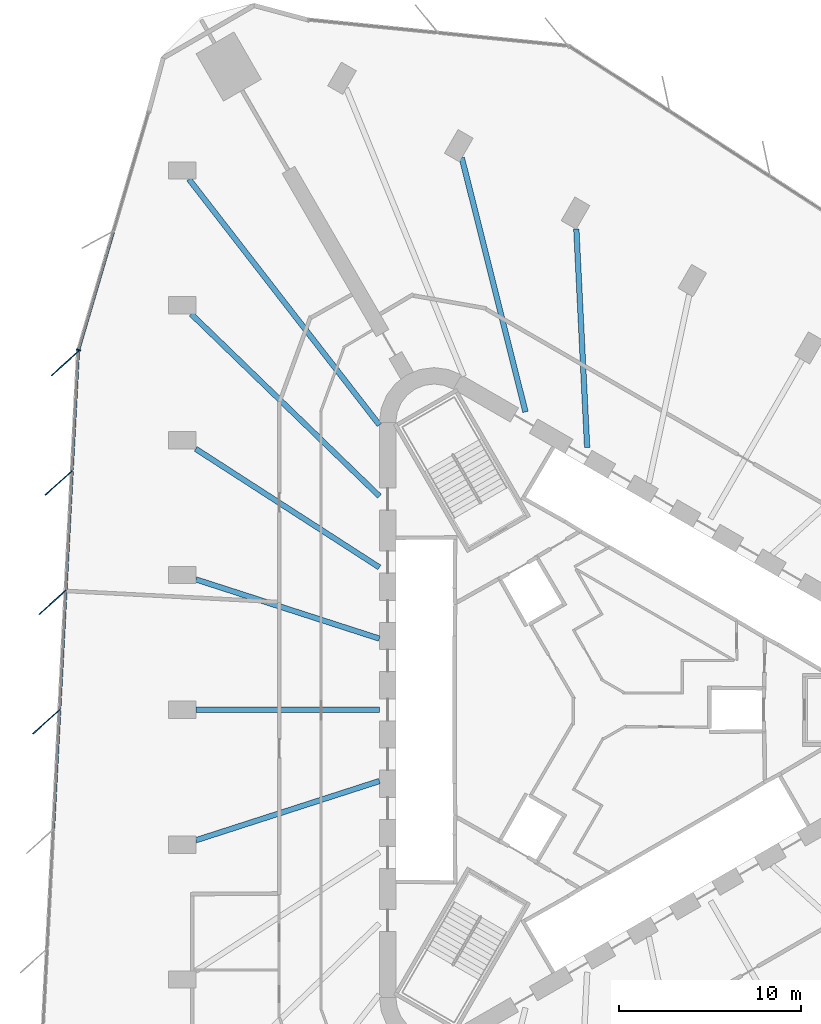
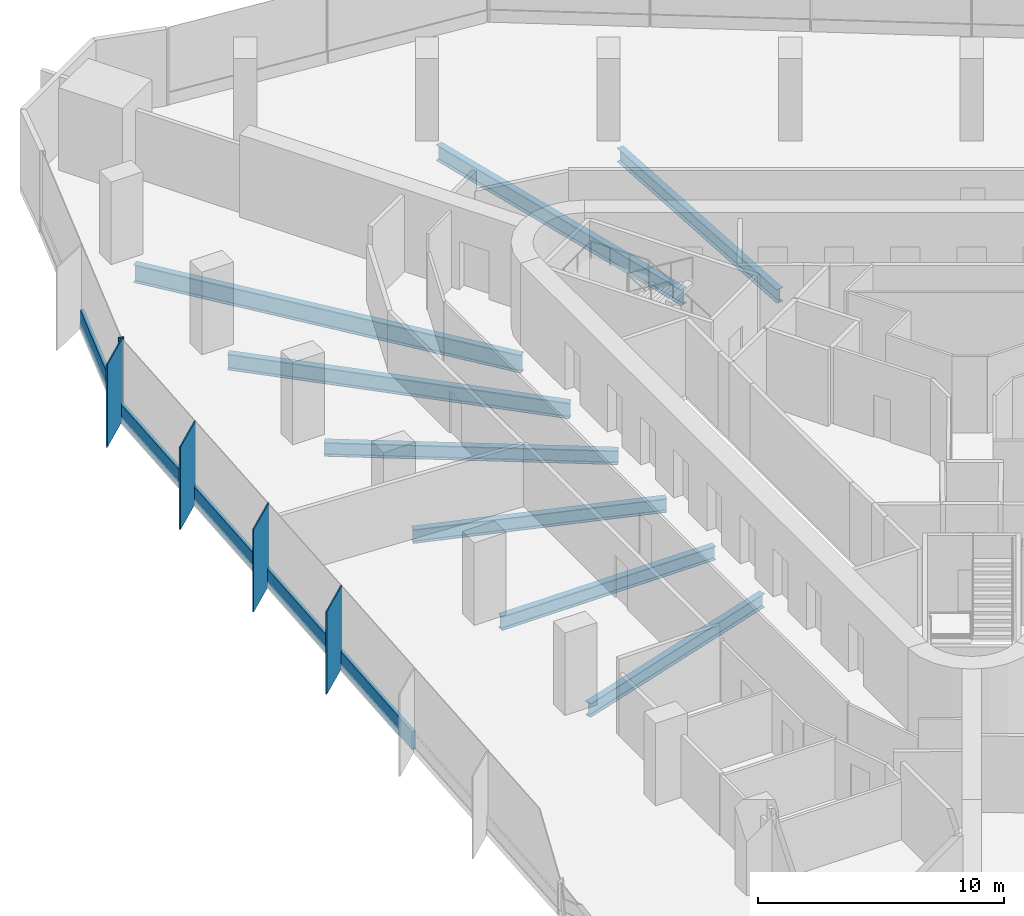
# One storey, part 4 of 14: 10 members, 8 beams, 2 elements without a shape of their own.
"""IFC4 building model written with IfcOpenShell, lengths in metres."""

from ifc_helpers import new_model, si_unit, direction, frame, origin, origin_2d, place, context, subcontext, project, spatial, rectangle, i_section, extrude, material, material_profile, profile_set, type_object, element, aggregate, save


model = new_model("IFC4")

# Units and contexts
model_context = context("Model", 3, precision=1e-05, world=origin(), true_north=direction((0.0, 1.0)))
body_context = subcontext(model_context, "Body", "Model", "MODEL_VIEW")
ifc_project = project(units=[si_unit("LENGTHUNIT", "METRE"), si_unit("AREAUNIT", "SQUARE_METRE"), si_unit("VOLUMEUNIT", "CUBIC_METRE"), si_unit("PLANEANGLEUNIT", "RADIAN"), si_unit("MASSUNIT", "GRAM", prefix="KILO")], contexts=[model_context])

# Site, building, storey
site_placement = place(None, origin())
site = spatial("IfcSite", under=ifc_project, at=site_placement, CompositionType="ELEMENT")
building_placement = place(site_placement, origin())
building = spatial("IfcBuilding", under=site, at=building_placement, Name="Tanit Gate Tower", CompositionType="ELEMENT")
storey_placement = place(building_placement, frame((0.0, 0.0, 115.199951171875)))
storey = spatial("IfcBuildingStorey", under=building, at=storey_placement, Name="L24", CompositionType="ELEMENT", Elevation=115.199951171875)

# Curtain wall, members
ifc_material_1 = material(Name="Aluminium bronze anodised and glass", Category="aluminium")
curtain_wall_type = type_object("IfcCurtainWallType", Name="Curtain wall typical low", PredefinedType="NOTDEFINED", material=ifc_material_1)
curtain_wall_1_placement = place(storey_placement, origin())
curtain_wall_1 = element("IfcCurtainWall", 1, at=curtain_wall_1_placement, inside=storey, type_object=curtain_wall_type, Name="Curtain wall L24 W2", PredefinedType="NOTDEFINED")
ifc_material_2 = material(Name="Aluminium bronze anodised", Category="aluminium")
ifc_material_profile_1 = material_profile(ifc_material_2, rectangle(XDim=2.0, YDim=0.055908203125, at=origin_2d()), Name="56x2000 bronze fin mullion")
ifc_profile_set_1 = profile_set([ifc_material_profile_1], Name="Aluminium bronze anodised")
member_type_1 = type_object("IfcMemberType", Name="FIN MULLION 56x2000 bronze", PredefinedType="MULLION", material=ifc_profile_set_1)
member_1_placement = place(storey_placement, frame((-29.337890625, 18.993408203125, -0.300048828125), z_axis=(0.0, 0.0, 1.0), x_axis=(0.742921658135, 0.669378375715, 0.0)))
member_1 = element("IfcMember", 2, at=member_1_placement, type_object=member_type_1, Name="Fin mullion L24 W2.1", PredefinedType="MULLION", context=body_context, shape_type="SweptSolid", body=[
    extrude(rectangle(XDim=2.0, YDim=0.055908203125, at=origin_2d()), origin(), (0.0, 0.0, 1.0), 4.10009765625),
])
member_2_placement = place(storey_placement, frame((-29.6787109375, 12.444580078125, -0.300048828125), z_axis=(0.0, 0.0, 1.0), x_axis=(0.742921658135, 0.669378375715, 0.0)))
member_2 = element("IfcMember", 3, at=member_2_placement, type_object=member_type_1, Name="Fin mullion L24 W2.2", PredefinedType="MULLION", context=body_context, shape_type="SweptSolid", body=[
    extrude(rectangle(XDim=2.0, YDim=0.055908203125, at=origin_2d()), origin(), (0.0, 0.0, 1.0), 4.10009765625),
])
member_3_placement = place(storey_placement, frame((-30.019775390625, 5.895751953125, -0.300048828125), z_axis=(0.0, 0.0, 1.0), x_axis=(0.742921658135, 0.669378375715, 0.0)))
member_3 = element("IfcMember", 4, at=member_3_placement, type_object=member_type_1, Name="Fin mullion L24 W2.3", PredefinedType="MULLION", context=body_context, shape_type="SweptSolid", body=[
    extrude(rectangle(XDim=2.0, YDim=0.055908203125, at=origin_2d()), origin(), (0.0, 0.0, 1.0), 4.10009765625),
])
member_4_placement = place(storey_placement, frame((-30.36083984375, -0.653076171875, -0.300048828125), z_axis=(0.0, 0.0, 1.0), x_axis=(0.742921658135, 0.669378375715, 0.0)))
member_4 = element("IfcMember", 5, at=member_4_placement, type_object=member_type_1, Name="Fin mullion L24 W2.4", PredefinedType="MULLION", context=body_context, shape_type="SweptSolid", body=[
    extrude(rectangle(XDim=2.0, YDim=0.055908203125, at=origin_2d()), origin(), (0.0, 0.0, 1.0), 4.10009765625),
])

# Curtain wall, member
curtain_wall_2_placement = place(storey_placement, origin())
curtain_wall_2 = element("IfcCurtainWall", 6, at=curtain_wall_2_placement, inside=storey, type_object=curtain_wall_type, Name="Curtain wall L24 W1", PredefinedType="NOTDEFINED")
ifc_material_3 = material(Name="Aluminium bronze anodised", Category="aluminium")
ifc_material_profile_2 = material_profile(ifc_material_3, rectangle(XDim=0.239990234375, YDim=0.080078125, at=origin_2d()), Name="80x240 bronze mullion")
ifc_profile_set_2 = profile_set([ifc_material_profile_2], Name="Aluminium bronze anodised")
member_type_2 = type_object("IfcMemberType", Name="Mullion 80x240 typical low", PredefinedType="MULLION", material=ifc_profile_set_2)
member_5_placement = place(storey_placement, frame((-28.598388671875, 19.72607421875, -0.300048828125), z_axis=(0.0, 0.0, 1.0), x_axis=(0.959260043832, -0.282524633098, 0.0)))
member_5 = element("IfcMember", 7, at=member_5_placement, type_object=member_type_2, Name="Mullion L24 W1.3", PredefinedType="MULLION", context=body_context, shape_type="SweptSolid", body=[
    extrude(rectangle(XDim=0.239990234375, YDim=0.080078125, at=origin_2d()), origin(), (0.0, 0.0, 1.0), 4.10009765625),
])

# Beams
ifc_material_4 = material(Name="Steel S355", Category="steel")
ifc_material_profile_3 = material_profile(ifc_material_4, i_section(OverallWidth=0.300048828125, OverallDepth=0.68994140625, WebThickness=0.014404296875, FlangeThickness=0.027099609375, FilletRadius=0.027099609375, at=origin_2d()), Name="HEA 700")
ifc_profile_set_3 = profile_set([ifc_material_profile_3], Name="Steel S355")
beam_type_1 = type_object("IfcBeamType", Name="RADIAL GIRDER HEA 700 S355", PredefinedType="BEAM", material=ifc_profile_set_3)
beam_1_placement = place(storey_placement, frame((-22.1591796875, -7.1494140625, -0.64501953125), z_axis=(0.951690978909, 0.307057454986, 0.0), x_axis=(-0.307057454986, 0.951690978909, 0.0)))
element("IfcBeam", 8, at=beam_1_placement, inside=storey, type_object=beam_type_1, Name="RADIAL GIRDER", PredefinedType="BEAM", context=body_context, shape_type="SweptSolid", body=[
    extrude(i_section(OverallWidth=0.300048828125, OverallDepth=0.68994140625, WebThickness=0.014404296875, FlangeThickness=0.027099609375, FilletRadius=0.027099609375, at=origin_2d()), origin(), (0.0, 0.0, 1.0), 10.567626953125),
])
beam_2_placement = place(storey_placement, frame((-1.304443359375, 26.356201171875, -0.64501953125), z_axis=(0.049436754849, -0.998777256084, 0.0), x_axis=(0.998777256084, 0.049436754849, 0.0)))
element("IfcBeam", 9, at=beam_2_placement, inside=storey, type_object=beam_type_1, Name="RADIAL GIRDER", PredefinedType="BEAM", context=body_context, shape_type="SweptSolid", body=[
    extrude(i_section(OverallWidth=0.300048828125, OverallDepth=0.68994140625, WebThickness=0.014404296875, FlangeThickness=0.027099609375, FilletRadius=0.027099609375, at=origin_2d()), origin(), (0.0, 0.0, 1.0), 11.985595703125),
])
beam_3_placement = place(storey_placement, frame((-22.173095703125, 14.307861328125, -0.64501953125), z_axis=(0.840246058538, -0.542205275805, 0.0), x_axis=(0.542205275805, 0.840246058538, 0.0)))
element("IfcBeam", 10, at=beam_3_placement, inside=storey, type_object=beam_type_1, Name="RADIAL GIRDER", PredefinedType="BEAM", context=body_context, shape_type="SweptSolid", body=[
    extrude(i_section(OverallWidth=0.300048828125, OverallDepth=0.68994140625, WebThickness=0.014404296875, FlangeThickness=0.027099609375, FilletRadius=0.027099609375, at=origin_2d()), origin(), (0.0, 0.0, 1.0), 11.98583984375),
])
beam_4_placement = place(storey_placement, frame((-22.1591796875, 7.1494140625, -0.64501953125), z_axis=(0.951690978909, -0.307057454986, 0.0), x_axis=(0.307057454986, 0.951690978909, 0.0)))
element("IfcBeam", 11, at=beam_4_placement, inside=storey, type_object=beam_type_1, Name="RADIAL GIRDER", PredefinedType="BEAM", context=body_context, shape_type="SweptSolid", body=[
    extrude(i_section(OverallWidth=0.300048828125, OverallDepth=0.68994140625, WebThickness=0.014404296875, FlangeThickness=0.027099609375, FilletRadius=0.027099609375, at=origin_2d()), origin(), (0.0, 0.0, 1.0), 10.567626953125),
])
beam_5_placement = place(storey_placement, frame((-22.1591796875, 0.0, -0.64501953125), z_axis=(1.0, 0.0, 0.0), x_axis=(0.0, 1.0, 0.0)))
element("IfcBeam", 12, at=beam_5_placement, inside=storey, type_object=beam_type_1, Name="RADIAL GIRDER", PredefinedType="BEAM", context=body_context, shape_type="SweptSolid", body=[
    extrude(i_section(OverallWidth=0.300048828125, OverallDepth=0.68994140625, WebThickness=0.014404296875, FlangeThickness=0.027099609375, FilletRadius=0.027099609375, at=origin_2d()), origin(), (0.0, 0.0, 1.0), 10.05712890625),
])
ifc_material_5 = material(Name="Steel S355", Category="steel")
ifc_material_profile_4 = material_profile(ifc_material_5, i_section(OverallWidth=0.300048828125, OverallDepth=0.7900390625, WebThickness=0.014892578125, FlangeThickness=0.028076171875, FilletRadius=0.030029296875, at=origin_2d()), Name="HEA 800")
ifc_profile_set_4 = profile_set([ifc_material_profile_4], Name="Steel S355")
beam_type_2 = type_object("IfcBeamType", Name="RADIAL GIRDER HEA 800 S355", PredefinedType="BEAM", material=ifc_profile_set_4)
beam_6_placement = place(storey_placement, frame((-7.5830078125, 30.264404296875, -0.695068359375), z_axis=(0.243047731856, -0.970014329811, 0.0), x_axis=(0.970014329811, 0.243047731856, 0.0)))
element("IfcBeam", 13, at=beam_6_placement, inside=storey, type_object=beam_type_2, Name="RADIAL GIRDER", PredefinedType="BEAM", context=body_context, shape_type="SweptSolid", body=[
    extrude(i_section(OverallWidth=0.300048828125, OverallDepth=0.7900390625, WebThickness=0.014892578125, FlangeThickness=0.028076171875, FilletRadius=0.030029296875, at=origin_2d()), origin(), (0.0, 0.0, 1.0), 14.357177734375),
])
beam_7_placement = place(storey_placement, frame((-22.41845703125, 21.69921875, -0.695068359375), z_axis=(0.718541832966, -0.695483741203, 0.0), x_axis=(0.695483741203, 0.718541832966, 0.0)))
element("IfcBeam", 14, at=beam_7_placement, inside=storey, type_object=beam_type_2, Name="RADIAL GIRDER", PredefinedType="BEAM", context=body_context, shape_type="SweptSolid", body=[
    extrude(i_section(OverallWidth=0.300048828125, OverallDepth=0.7900390625, WebThickness=0.014892578125, FlangeThickness=0.028076171875, FilletRadius=0.030029296875, at=origin_2d()), origin(), (0.0, 0.0, 1.0), 14.357421875),
])
ifc_material_6 = material(Name="Steel S355", Category="steel")
ifc_material_profile_5 = material_profile(ifc_material_6, i_section(OverallWidth=0.300048828125, OverallDepth=0.889892578125, WebThickness=0.01611328125, FlangeThickness=0.030029296875, FilletRadius=0.030029296875, at=origin_2d()), Name="HEA 900")
ifc_profile_set_5 = profile_set([ifc_material_profile_5], Name="Steel S355")
beam_type_3 = type_object("IfcBeamType", Name="RADIAL GIRDER HEA 900 S355", PredefinedType="BEAM", material=ifc_profile_set_5)
beam_8_placement = place(storey_placement, frame((-22.541015625, 29.0908203125, -0.744873046875), z_axis=(0.612492683922, -0.790476256533, 0.0), x_axis=(0.790476256533, 0.612492683922, 0.0)))
element("IfcBeam", 15, at=beam_8_placement, inside=storey, type_object=beam_type_3, Name="RADIAL GIRDER", PredefinedType="BEAM", context=body_context, shape_type="SweptSolid", body=[
    extrude(i_section(OverallWidth=0.300048828125, OverallDepth=0.889892578125, WebThickness=0.01611328125, FlangeThickness=0.030029296875, FilletRadius=0.030029296875, at=origin_2d()), origin(), (0.0, 0.0, 1.0), 17.04345703125),
])

# Member
ifc_material_7 = material(Name="Aluminium bronze anodised", Category="aluminium")
ifc_material_profile_6 = material_profile(ifc_material_7, rectangle(XDim=0.159912109375, YDim=0.89990234375, at=origin_2d()), Name="160x900 bronze transom")
ifc_profile_set_6 = profile_set([ifc_material_profile_6], Name="Aluminium bronze anodised")
member_type_3 = type_object("IfcMemberType", Name="Transom 160x900 typical low", PredefinedType="USERDEFINED", material=ifc_profile_set_6)
member_6_placement = place(storey_placement, frame((-26.687744140625, 26.212646484375, 0.150146484375), z_axis=(-0.282526140656, -0.95925959982, 0.0), x_axis=(0.95925959982, -0.282526140656, 0.0)))
member_6 = element("IfcMember", 16, at=member_6_placement, type_object=member_type_3, Name="Transom L24 W1.2", ObjectType="TRANSOM", PredefinedType="USERDEFINED", context=body_context, shape_type="SweptSolid", body=[
    extrude(rectangle(XDim=0.159912109375, YDim=0.89990234375, at=origin_2d()), origin(), (0.0, 0.0, 1.0), 6.72216796875),
])

aggregate(curtain_wall_2, [member_5, member_6])

member_7_placement = place(storey_placement, frame((-28.61376953125, 19.607666015625, 0.150146484375), z_axis=(-0.05201283419, -0.998646416446, 0.0), x_axis=(0.998646416446, -0.05201283419, 0.0)))
member_7 = element("IfcMember", 17, at=member_7_placement, type_object=member_type_3, Name="Transom L24 W2.1", ObjectType="TRANSOM", PredefinedType="USERDEFINED", context=body_context, shape_type="SweptSolid", body=[
    extrude(rectangle(XDim=0.159912109375, YDim=0.89990234375, at=origin_2d()), origin(), (0.0, 0.0, 1.0), 6.4775390625),
])

member_8_placement = place(storey_placement, frame((-28.954833984375, 13.058837890625, 0.150146484375), z_axis=(-0.05201283419, -0.998646416446, 0.0), x_axis=(0.998646416446, -0.05201283419, 0.0)))
member_8 = element("IfcMember", 18, at=member_8_placement, type_object=member_type_3, Name="Transom L24 W2.2", ObjectType="TRANSOM", PredefinedType="USERDEFINED", context=body_context, shape_type="SweptSolid", body=[
    extrude(rectangle(XDim=0.159912109375, YDim=0.89990234375, at=origin_2d()), origin(), (0.0, 0.0, 1.0), 6.4775390625),
])

member_9_placement = place(storey_placement, frame((-29.2958984375, 6.510009765625, 0.150146484375), z_axis=(-0.051975245585, -0.998648373476, 0.0), x_axis=(0.998648373476, -0.051975245585, 0.0)))
member_9 = element("IfcMember", 19, at=member_9_placement, type_object=member_type_3, Name="Transom L24 W2.3", ObjectType="TRANSOM", PredefinedType="USERDEFINED", context=body_context, shape_type="SweptSolid", body=[
    extrude(rectangle(XDim=0.159912109375, YDim=0.89990234375, at=origin_2d()), origin(), (0.0, 0.0, 1.0), 6.4775390625),
])

member_10_placement = place(storey_placement, frame((-29.63671875, -0.038818359375, 0.150146484375), z_axis=(-0.05201283419, -0.998646416446, 0.0), x_axis=(0.998646416446, -0.05201283419, 0.0)))
member_10 = element("IfcMember", 20, at=member_10_placement, type_object=member_type_3, Name="Transom L24 W2.4", ObjectType="TRANSOM", PredefinedType="USERDEFINED", context=body_context, shape_type="SweptSolid", body=[
    extrude(rectangle(XDim=0.159912109375, YDim=0.89990234375, at=origin_2d()), origin(), (0.0, 0.0, 1.0), 6.4775390625),
])

aggregate(curtain_wall_1, [member_1, member_2, member_3, member_4, member_7, member_8, member_9, member_10])

save(model, "model.ifc")
